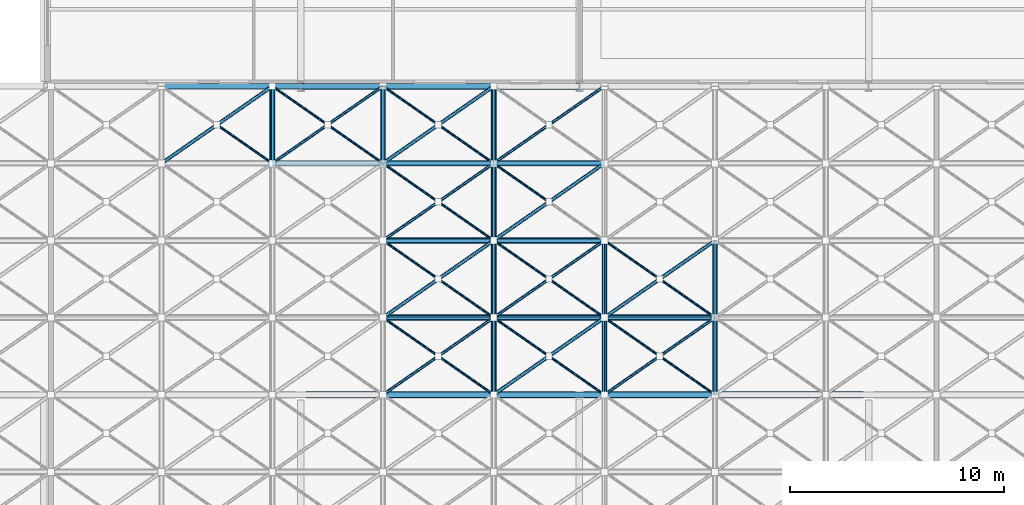
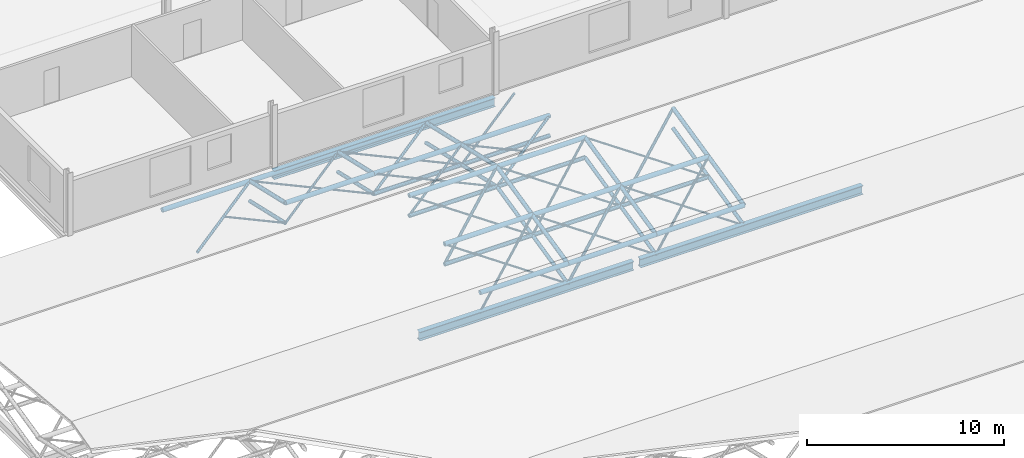
# One storey, part 47 of 110: 73 members, 3 beams.
"""IFC4 building model written with IfcOpenShell, lengths in metres."""

from ifc_helpers import new_model, si_unit, direction, frame, origin, origin_2d, place, context, subcontext, project, spatial, hollow_circle, i_section, extrude, material, material_profile, profile_set, type_object, element, save


model = new_model("IFC4")

# Units and contexts
model_context = context("Model", 3, precision=1e-05, world=origin(), true_north=direction((0.0, 1.0)))
body_context = subcontext(model_context, "Body", "Model", "MODEL_VIEW")
ifc_project = project(units=[si_unit("LENGTHUNIT", "METRE"), si_unit("AREAUNIT", "SQUARE_METRE"), si_unit("VOLUMEUNIT", "CUBIC_METRE"), si_unit("PLANEANGLEUNIT", "RADIAN"), si_unit("MASSUNIT", "GRAM", prefix="KILO")], contexts=[model_context])

# Site, building, storey
site_placement = place(None, origin())
site = spatial("IfcSite", under=ifc_project, at=site_placement, CompositionType="ELEMENT")
building_placement = place(site_placement, origin())
building = spatial("IfcBuilding", under=site, at=building_placement, Name="Tamarisk Ironworks Central Station", CompositionType="ELEMENT")
storey_placement = place(building_placement, frame((0.0, 0.0, 17.39990234375)))
storey = spatial("IfcBuildingStorey", under=building, at=storey_placement, Name="L03", CompositionType="ELEMENT", Elevation=17.39990234375)

# Beams
ifc_material_1 = material(Name="Structural steel S355J2", Category="steel")
ifc_material_profile_1 = material_profile(ifc_material_1, i_section(OverallWidth=0.300048828125, OverallDepth=0.5400390625, WebThickness=0.012451171875, FlangeThickness=0.02392578125, at=origin_2d()), Name="HEA 550")
ifc_profile_set_1 = profile_set([ifc_material_profile_1], Name="Structural steel S355J2")
beam_type = type_object("IfcBeamType", Name="BM-G04", PredefinedType="BEAM", material=ifc_profile_set_1)
beam_1_placement = place(storey_placement, frame((140.241943359375, 64.800048828125, -1.869873046875), z_axis=(1.0, 0.0, 0.0), x_axis=(0.0, 1.0, 0.0)))
element("IfcBeam", 1, at=beam_1_placement, inside=storey, type_object=beam_type, Name="L03 primary girder X-0574", PredefinedType="BEAM", context=body_context, shape_type="SweptSolid", body=[
    extrude(i_section(OverallWidth=0.300048828125, OverallDepth=0.5400390625, WebThickness=0.012451171875, FlangeThickness=0.02392578125, at=origin_2d()), origin(), (0.0, 0.0, 1.0), 12.56689453125),
])
beam_2_placement = place(storey_placement, frame((153.191162109375, 64.800048828125, -1.869873046875), z_axis=(1.0, 0.0, 0.0), x_axis=(0.0, 1.0, 0.0)))
element("IfcBeam", 2, at=beam_2_placement, inside=storey, type_object=beam_type, Name="L03 primary girder X-0575", PredefinedType="BEAM", context=body_context, shape_type="SweptSolid", body=[
    extrude(i_section(OverallWidth=0.300048828125, OverallDepth=0.5400390625, WebThickness=0.012451171875, FlangeThickness=0.02392578125, at=origin_2d()), origin(), (0.0, 0.0, 1.0), 13.06689453125),
])
beam_3_placement = place(storey_placement, frame((140.00390625, 79.199951171875, -0.52001953125), z_axis=(1.0, 0.0, 0.0), x_axis=(0.0, 1.0, 0.0)))
element("IfcBeam", 3, at=beam_3_placement, inside=storey, type_object=beam_type, Name="L03 primary girder X-0629", PredefinedType="BEAM", context=body_context, shape_type="SweptSolid", body=[
    extrude(i_section(OverallWidth=0.300048828125, OverallDepth=0.5400390625, WebThickness=0.012451171875, FlangeThickness=0.02392578125, at=origin_2d()), origin(), (0.0, 0.0, 1.0), 12.9921875),
])

# Members
ifc_material_2 = material(Name="Structural steel S355J2H", Category="steel")
ifc_material_profile_2 = material_profile(ifc_material_2, hollow_circle(Radius=0.136474609375, WallThickness=0.012451171875, at=origin_2d()), Name="CHS 273x12.5")
ifc_profile_set_2 = profile_set([ifc_material_profile_2], Name="Structural steel S355J2H")
member_type_1 = type_object("IfcMemberType", Name="MB-SFC01", PredefinedType="CHORD", material=ifc_profile_set_2)
for number, where, z_axis, x_axis, name in (
    (4, (143.833251953125, 64.800048828125, -0.469970703125), (1.0, 0.0, 0.0), (0.0, 1.0, 0.0), "Train shed space-frame top chord 1672"),
    (5, (149.0, 64.800048828125, -0.469970703125), (1.0, 0.0, 0.0), (0.0, 1.0, 0.0), "Train shed space-frame top chord 1673"),
):
    element("IfcMember", number, at=place(storey_placement, frame(where, z_axis=z_axis, x_axis=x_axis)), inside=storey, type_object=member_type_1, Name=name, PredefinedType="CHORD", context=body_context, shape_type="SweptSolid", body=[
        extrude(hollow_circle(Radius=0.136474609375, WallThickness=0.012451171875, at=origin_2d()), origin(), (0.0, 0.0, 1.0), 5.166748046875),
    ])
member_1_placement = place(storey_placement, frame((154.166748046875, 64.800048828125, -0.469970703125), z_axis=(1.0, 0.0, 0.0), x_axis=(0.0, 1.0, 0.0)))
element("IfcMember", 6, at=member_1_placement, inside=storey, type_object=member_type_1, Name="Train shed space-frame top chord 1674", PredefinedType="CHORD", context=body_context, shape_type="SweptSolid", body=[
    extrude(hollow_circle(Radius=0.136474609375, WallThickness=0.012451171875, at=origin_2d()), origin(), (0.0, 0.0, 1.0), 5.16650390625),
])
for number, where, z_axis, x_axis, name in (
    (7, (143.833251953125, 68.39990234375, 0.35498046875), (1.0, 0.0, 0.0), (0.0, 1.0, 0.0), "Train shed space-frame top chord 1920"),
    (8, (149.0, 68.39990234375, 0.35498046875), (1.0, 0.0, 0.0), (0.0, 1.0, 0.0), "Train shed space-frame top chord 1921"),
):
    element("IfcMember", number, at=place(storey_placement, frame(where, z_axis=z_axis, x_axis=x_axis)), inside=storey, type_object=member_type_1, Name=name, PredefinedType="CHORD", context=body_context, shape_type="SweptSolid", body=[
        extrude(hollow_circle(Radius=0.136474609375, WallThickness=0.012451171875, at=origin_2d()), origin(), (0.0, 0.0, 1.0), 5.166748046875),
    ])
member_2_placement = place(storey_placement, frame((154.166748046875, 68.39990234375, 0.35498046875), z_axis=(1.0, 0.0, 0.0), x_axis=(0.0, 1.0, 0.0)))
element("IfcMember", 9, at=member_2_placement, inside=storey, type_object=member_type_1, Name="Train shed space-frame top chord 1922", PredefinedType="CHORD", context=body_context, shape_type="SweptSolid", body=[
    extrude(hollow_circle(Radius=0.136474609375, WallThickness=0.012451171875, at=origin_2d()), origin(), (0.0, 0.0, 1.0), 5.16650390625),
])
for number, where, z_axis, x_axis, name in (
    (10, (143.833251953125, 72.0, 1.18017578125), (1.0, 0.0, 0.0), (0.0, 1.0, 0.0), "Train shed space-frame top chord 1932"),
    (11, (149.0, 72.0, 1.18017578125), (1.0, 0.0, 0.0), (0.0, 1.0, 0.0), "Train shed space-frame top chord 1933"),
):
    element("IfcMember", number, at=place(storey_placement, frame(where, z_axis=z_axis, x_axis=x_axis)), inside=storey, type_object=member_type_1, Name=name, PredefinedType="CHORD", context=body_context, shape_type="SweptSolid", body=[
        extrude(hollow_circle(Radius=0.136474609375, WallThickness=0.012451171875, at=origin_2d()), origin(), (0.0, 0.0, 1.0), 5.166748046875),
    ])
member_3_placement = place(storey_placement, frame((138.666748046875, 75.60009765625, 0.35498046875), z_axis=(1.0, 0.0, 0.0), x_axis=(0.0, 1.0, 0.0)))
element("IfcMember", 12, at=member_3_placement, inside=storey, type_object=member_type_1, Name="Train shed space-frame top chord 1943", PredefinedType="CHORD", context=body_context, shape_type="SweptSolid", body=[
    extrude(hollow_circle(Radius=0.136474609375, WallThickness=0.012451171875, at=origin_2d()), origin(), (0.0, 0.0, 1.0), 5.16650390625),
])
for number, where, z_axis, x_axis, name in (
    (13, (143.833251953125, 75.60009765625, 0.35498046875), (1.0, 0.0, 0.0), (0.0, 1.0, 0.0), "Train shed space-frame top chord 1944"),
    (14, (149.0, 75.60009765625, 0.35498046875), (1.0, 0.0, 0.0), (0.0, 1.0, 0.0), "Train shed space-frame top chord 1945"),
    (15, (133.5, 79.199951171875, -0.469970703125), (1.0, 0.0, 0.0), (0.0, 1.0, 0.0), "Train shed space-frame top chord 1954"),
):
    element("IfcMember", number, at=place(storey_placement, frame(where, z_axis=z_axis, x_axis=x_axis)), inside=storey, type_object=member_type_1, Name=name, PredefinedType="CHORD", context=body_context, shape_type="SweptSolid", body=[
        extrude(hollow_circle(Radius=0.136474609375, WallThickness=0.012451171875, at=origin_2d()), origin(), (0.0, 0.0, 1.0), 5.166748046875),
    ])
member_4_placement = place(storey_placement, frame((138.666748046875, 79.199951171875, -0.469970703125), z_axis=(1.0, 0.0, 0.0), x_axis=(0.0, 1.0, 0.0)))
element("IfcMember", 16, at=member_4_placement, inside=storey, type_object=member_type_1, Name="Train shed space-frame top chord 1955", PredefinedType="CHORD", context=body_context, shape_type="SweptSolid", body=[
    extrude(hollow_circle(Radius=0.136474609375, WallThickness=0.012451171875, at=origin_2d()), origin(), (0.0, 0.0, 1.0), 5.16650390625),
])
member_5_placement = place(storey_placement, frame((143.833251953125, 79.199951171875, -0.469970703125), z_axis=(1.0, 0.0, 0.0), x_axis=(0.0, 1.0, 0.0)))
element("IfcMember", 17, at=member_5_placement, inside=storey, type_object=member_type_1, Name="Train shed space-frame top chord 1956", PredefinedType="CHORD", context=body_context, shape_type="SweptSolid", body=[
    extrude(hollow_circle(Radius=0.136474609375, WallThickness=0.012451171875, at=origin_2d()), origin(), (0.0, 0.0, 1.0), 5.166748046875),
])
ifc_material_profile_3 = material_profile(ifc_material_2, hollow_circle(Radius=0.122314453125, WallThickness=0.012451171875, at=origin_2d()), Name="CHS 244.5x12.5")
ifc_profile_set_3 = profile_set([ifc_material_profile_3], Name="Structural steel S355J2H")
member_type_2 = type_object("IfcMemberType", Name="MB-SFC02", PredefinedType="CHORD", material=ifc_profile_set_3)
for number, where, z_axis, x_axis, name in (
    (18, (143.833251953125, 68.39990234375, -0.89501953125), (1.0, 0.0, 0.0), (0.0, 1.0, 0.0), "Train shed space-frame bottom chord 1832"),
    (19, (149.0, 68.39990234375, -0.89501953125), (1.0, 0.0, 0.0), (0.0, 1.0, 0.0), "Train shed space-frame bottom chord 1833"),
):
    element("IfcMember", number, at=place(storey_placement, frame(where, z_axis=z_axis, x_axis=x_axis)), inside=storey, type_object=member_type_2, Name=name, PredefinedType="CHORD", context=body_context, shape_type="SweptSolid", body=[
        extrude(hollow_circle(Radius=0.122314453125, WallThickness=0.012451171875, at=origin_2d()), origin(), (0.0, 0.0, 1.0), 5.166748046875),
    ])
member_6_placement = place(storey_placement, frame((154.166748046875, 68.39990234375, -0.89501953125), z_axis=(1.0, 0.0, 0.0), x_axis=(0.0, 1.0, 0.0)))
element("IfcMember", 20, at=member_6_placement, inside=storey, type_object=member_type_2, Name="Train shed space-frame bottom chord 1834", PredefinedType="CHORD", context=body_context, shape_type="SweptSolid", body=[
    extrude(hollow_circle(Radius=0.122314453125, WallThickness=0.012451171875, at=origin_2d()), origin(), (0.0, 0.0, 1.0), 5.16650390625),
])
for number, where, z_axis, x_axis, name in (
    (21, (143.833251953125, 72.0, -0.06982421875), (1.0, 0.0, 0.0), (0.0, 1.0, 0.0), "Train shed space-frame bottom chord 1844"),
    (22, (149.0, 72.0, -0.06982421875), (1.0, 0.0, 0.0), (0.0, 1.0, 0.0), "Train shed space-frame bottom chord 1845"),
    (23, (143.833251953125, 75.60009765625, -0.89501953125), (1.0, 0.0, 0.0), (0.0, 1.0, 0.0), "Train shed space-frame bottom chord 1856"),
    (24, (149.0, 75.60009765625, -0.89501953125), (1.0, 0.0, 0.0), (0.0, 1.0, 0.0), "Train shed space-frame bottom chord 1857"),
):
    element("IfcMember", number, at=place(storey_placement, frame(where, z_axis=z_axis, x_axis=x_axis)), inside=storey, type_object=member_type_2, Name=name, PredefinedType="CHORD", context=body_context, shape_type="SweptSolid", body=[
        extrude(hollow_circle(Radius=0.122314453125, WallThickness=0.012451171875, at=origin_2d()), origin(), (0.0, 0.0, 1.0), 5.166748046875),
    ])
for number, where, z_axis, x_axis, name in (
    (25, (138.666748046875, 75.60009765625, 0.35498046875), (0.0, 0.974733218107, -0.223372230857), (-1.0, 0.0, 0.0), "Train shed space-frame top transverse chord 1982"),
    (26, (143.833251953125, 75.60009765625, 0.35498046875), (0.0, 0.974733218107, -0.223372230857), (-1.0, 0.0, 0.0), "Train shed space-frame top transverse chord 1986"),
    (27, (149.0, 64.800048828125, -0.469970703125), (0.0, 0.974733218107, 0.223372230857), (-1.0, 0.0, 0.0), "Train shed space-frame top transverse chord 1987"),
):
    element("IfcMember", number, at=place(storey_placement, frame(where, z_axis=z_axis, x_axis=x_axis)), inside=storey, type_object=member_type_2, Name=name, PredefinedType="CHORD", context=body_context, shape_type="SweptSolid", body=[
        extrude(hollow_circle(Radius=0.122314453125, WallThickness=0.012451171875, at=origin_2d()), origin(), (0.0, 0.0, 1.0), 3.693115234375),
    ])
for number, where, z_axis, x_axis, name in (
    (28, (149.0, 68.39990234375, 0.35498046875), (0.0, 0.974722123001, 0.223420641241), (-1.0, 0.0, 0.0), "Train shed space-frame top transverse chord 1988"),
    (29, (149.0, 72.0, 1.18017578125), (0.0, 0.974722123001, -0.223420641241), (-1.0, 0.0, 0.0), "Train shed space-frame top transverse chord 1989"),
):
    element("IfcMember", number, at=place(storey_placement, frame(where, z_axis=z_axis, x_axis=x_axis)), inside=storey, type_object=member_type_2, Name=name, PredefinedType="CHORD", context=body_context, shape_type="SweptSolid", body=[
        extrude(hollow_circle(Radius=0.122314453125, WallThickness=0.012451171875, at=origin_2d()), origin(), (0.0, 0.0, 1.0), 3.693359375),
    ])
for number, where, z_axis, x_axis, name in (
    (30, (149.0, 75.60009765625, 0.35498046875), (0.0, 0.974733218107, -0.223372230857), (-1.0, 0.0, 0.0), "Train shed space-frame top transverse chord 1990"),
    (31, (154.166748046875, 64.800048828125, -0.469970703125), (0.0, 0.974733218107, 0.223372230857), (-1.0, 0.0, 0.0), "Train shed space-frame top transverse chord 1991"),
):
    element("IfcMember", number, at=place(storey_placement, frame(where, z_axis=z_axis, x_axis=x_axis)), inside=storey, type_object=member_type_2, Name=name, PredefinedType="CHORD", context=body_context, shape_type="SweptSolid", body=[
        extrude(hollow_circle(Radius=0.122314453125, WallThickness=0.012451171875, at=origin_2d()), origin(), (0.0, 0.0, 1.0), 3.693115234375),
    ])
member_7_placement = place(storey_placement, frame((154.166748046875, 68.39990234375, 0.35498046875), z_axis=(0.0, 0.974722123001, 0.223420641241), x_axis=(-1.0, 0.0, 0.0)))
element("IfcMember", 32, at=member_7_placement, inside=storey, type_object=member_type_2, Name="Train shed space-frame top transverse chord 1992", PredefinedType="CHORD", context=body_context, shape_type="SweptSolid", body=[
    extrude(hollow_circle(Radius=0.122314453125, WallThickness=0.012451171875, at=origin_2d()), origin(), (0.0, 0.0, 1.0), 3.693359375),
])
member_8_placement = place(storey_placement, frame((159.333251953125, 64.800048828125, -0.469970703125), z_axis=(0.0, 0.974733218107, 0.223372230857), x_axis=(-1.0, 0.0, 0.0)))
element("IfcMember", 33, at=member_8_placement, inside=storey, type_object=member_type_2, Name="Train shed space-frame top transverse chord 1995", PredefinedType="CHORD", context=body_context, shape_type="SweptSolid", body=[
    extrude(hollow_circle(Radius=0.122314453125, WallThickness=0.012451171875, at=origin_2d()), origin(), (0.0, 0.0, 1.0), 3.693115234375),
])
member_9_placement = place(storey_placement, frame((159.333251953125, 68.39990234375, 0.35498046875), z_axis=(0.0, 0.974722123001, 0.223420641241), x_axis=(-1.0, 0.0, 0.0)))
element("IfcMember", 34, at=member_9_placement, inside=storey, type_object=member_type_2, Name="Train shed space-frame top transverse chord 1996", PredefinedType="CHORD", context=body_context, shape_type="SweptSolid", body=[
    extrude(hollow_circle(Radius=0.122314453125, WallThickness=0.012451171875, at=origin_2d()), origin(), (0.0, 0.0, 1.0), 3.693359375),
])
ifc_material_profile_4 = material_profile(ifc_material_2, hollow_circle(Radius=0.109619140625, WallThickness=0.010009765625, at=origin_2d()), Name="CHS 219.1x10")
ifc_profile_set_4 = profile_set([ifc_material_profile_4], Name="Structural steel S355J2H")
member_type_3 = type_object("IfcMemberType", Name="MB-SFC03", PredefinedType="CHORD", material=ifc_profile_set_4)
for number, where, z_axis, x_axis, name in (
    (35, (138.666748046875, 75.60009765625, -0.89501953125), (0.0, 0.974733218107, -0.223372230857), (-1.0, 0.0, 0.0), "Train shed space-frame transverse chord 1882"),
    (36, (143.833251953125, 75.60009765625, -0.89501953125), (0.0, 0.974733218107, -0.223372230857), (-1.0, 0.0, 0.0), "Train shed space-frame transverse chord 1886"),
    (37, (149.0, 64.800048828125, -1.719970703125), (0.0, 0.974733218107, 0.223372230857), (-1.0, 0.0, 0.0), "Train shed space-frame transverse chord 1887"),
):
    element("IfcMember", number, at=place(storey_placement, frame(where, z_axis=z_axis, x_axis=x_axis)), inside=storey, type_object=member_type_3, Name=name, PredefinedType="CHORD", context=body_context, shape_type="SweptSolid", body=[
        extrude(hollow_circle(Radius=0.109619140625, WallThickness=0.010009765625, at=origin_2d()), origin(), (0.0, 0.0, 1.0), 3.693115234375),
    ])
for number, where, z_axis, x_axis, name in (
    (38, (149.0, 68.39990234375, -0.89501953125), (0.0, 0.974722123001, 0.223420641241), (-1.0, 0.0, 0.0), "Train shed space-frame transverse chord 1888"),
    (39, (149.0, 72.0, -0.06982421875), (0.0, 0.974722123001, -0.223420641241), (-1.0, 0.0, 0.0), "Train shed space-frame transverse chord 1889"),
):
    element("IfcMember", number, at=place(storey_placement, frame(where, z_axis=z_axis, x_axis=x_axis)), inside=storey, type_object=member_type_3, Name=name, PredefinedType="CHORD", context=body_context, shape_type="SweptSolid", body=[
        extrude(hollow_circle(Radius=0.109619140625, WallThickness=0.010009765625, at=origin_2d()), origin(), (0.0, 0.0, 1.0), 3.693359375),
    ])
for number, where, z_axis, x_axis, name in (
    (40, (149.0, 75.60009765625, -0.89501953125), (0.0, 0.974733218107, -0.223372230857), (-1.0, 0.0, 0.0), "Train shed space-frame transverse chord 1890"),
    (41, (154.166748046875, 64.800048828125, -1.719970703125), (0.0, 0.974733218107, 0.223372230857), (-1.0, 0.0, 0.0), "Train shed space-frame transverse chord 1891"),
):
    element("IfcMember", number, at=place(storey_placement, frame(where, z_axis=z_axis, x_axis=x_axis)), inside=storey, type_object=member_type_3, Name=name, PredefinedType="CHORD", context=body_context, shape_type="SweptSolid", body=[
        extrude(hollow_circle(Radius=0.109619140625, WallThickness=0.010009765625, at=origin_2d()), origin(), (0.0, 0.0, 1.0), 3.693115234375),
    ])
member_10_placement = place(storey_placement, frame((154.166748046875, 68.39990234375, -0.89501953125), z_axis=(0.0, 0.974722123001, 0.223420641241), x_axis=(-1.0, 0.0, 0.0)))
element("IfcMember", 42, at=member_10_placement, inside=storey, type_object=member_type_3, Name="Train shed space-frame transverse chord 1892", PredefinedType="CHORD", context=body_context, shape_type="SweptSolid", body=[
    extrude(hollow_circle(Radius=0.109619140625, WallThickness=0.010009765625, at=origin_2d()), origin(), (0.0, 0.0, 1.0), 3.693359375),
])
member_11_placement = place(storey_placement, frame((159.333251953125, 64.800048828125, -1.719970703125), z_axis=(0.0, 0.974733218107, 0.223372230857), x_axis=(-1.0, 0.0, 0.0)))
element("IfcMember", 43, at=member_11_placement, inside=storey, type_object=member_type_3, Name="Train shed space-frame transverse chord 1895", PredefinedType="CHORD", context=body_context, shape_type="SweptSolid", body=[
    extrude(hollow_circle(Radius=0.109619140625, WallThickness=0.010009765625, at=origin_2d()), origin(), (0.0, 0.0, 1.0), 3.693115234375),
])
member_12_placement = place(storey_placement, frame((159.333251953125, 68.39990234375, -0.89501953125), z_axis=(0.0, 0.974722123001, 0.223420641241), x_axis=(-1.0, 0.0, 0.0)))
element("IfcMember", 44, at=member_12_placement, inside=storey, type_object=member_type_3, Name="Train shed space-frame transverse chord 1896", PredefinedType="CHORD", context=body_context, shape_type="SweptSolid", body=[
    extrude(hollow_circle(Radius=0.109619140625, WallThickness=0.010009765625, at=origin_2d()), origin(), (0.0, 0.0, 1.0), 3.693359375),
])
ifc_material_profile_5 = material_profile(ifc_material_2, hollow_circle(Radius=0.084228515625, WallThickness=0.010009765625, at=origin_2d()), Name="CHS 168.3x10")
ifc_profile_set_5 = profile_set([ifc_material_profile_5], Name="Structural steel S355J2H")
member_type_4 = type_object("IfcMemberType", Name="MB-SFD01", PredefinedType="BRACE", material=ifc_profile_set_5)
member_13_placement = place(storey_placement, frame((133.5, 75.60009765625, -0.89501953125), z_axis=(0.818625810636, 0.570365145671, 0.067345250499), x_axis=(-0.57166297408, 0.820488539875, 0.0)))
element("IfcMember", 45, at=member_13_placement, inside=storey, type_object=member_type_4, Name="Train shed space-frame diagonal 2045", PredefinedType="BRACE", context=body_context, shape_type="SweptSolid", body=[
    extrude(hollow_circle(Radius=0.084228515625, WallThickness=0.010009765625, at=origin_2d()), origin(), (0.0, 0.0, 1.0), 6.3115234375),
])
member_14_placement = place(storey_placement, frame((143.833251953125, 68.39990234375, -0.89501953125), z_axis=(0.779249385031, 0.542967038306, 0.312981135603), x_axis=(-0.571689073201, 0.82047035509, 0.0)))
element("IfcMember", 46, at=member_14_placement, inside=storey, type_object=member_type_4, Name="Train shed space-frame diagonal 2057", PredefinedType="BRACE", context=body_context, shape_type="SweptSolid", body=[
    extrude(hollow_circle(Radius=0.084228515625, WallThickness=0.010009765625, at=origin_2d()), origin(), (0.0, 0.0, 1.0), 6.63037109375),
])
member_15_placement = place(storey_placement, frame((143.833251953125, 75.60009765625, -0.89501953125), z_axis=(0.818625810636, 0.570365145671, 0.067345250499), x_axis=(-0.57166297408, 0.820488539875, 0.0)))
element("IfcMember", 47, at=member_15_placement, inside=storey, type_object=member_type_4, Name="Train shed space-frame diagonal 2061", PredefinedType="BRACE", context=body_context, shape_type="SweptSolid", body=[
    extrude(hollow_circle(Radius=0.084228515625, WallThickness=0.010009765625, at=origin_2d()), origin(), (0.0, 0.0, 1.0), 6.3115234375),
])
member_16_placement = place(storey_placement, frame((149.0, 64.800048828125, -1.719970703125), z_axis=(0.779273944842, 0.542947328672, 0.312954177442), x_axis=(-0.57166297408, 0.820488539875, 0.0)))
element("IfcMember", 48, at=member_16_placement, inside=storey, type_object=member_type_4, Name="Train shed space-frame diagonal 2063", PredefinedType="BRACE", context=body_context, shape_type="SweptSolid", body=[
    extrude(hollow_circle(Radius=0.084228515625, WallThickness=0.010009765625, at=origin_2d()), origin(), (0.0, 0.0, 1.0), 6.630126953125),
])
member_17_placement = place(storey_placement, frame((149.0, 72.0, -0.06982421875), z_axis=(0.818609881232, 0.570392728283, 0.067305258864), x_axis=(-0.571689073201, 0.82047035509, 0.0)))
element("IfcMember", 49, at=member_17_placement, inside=storey, type_object=member_type_4, Name="Train shed space-frame diagonal 2067", PredefinedType="BRACE", context=body_context, shape_type="SweptSolid", body=[
    extrude(hollow_circle(Radius=0.084228515625, WallThickness=0.010009765625, at=origin_2d()), origin(), (0.0, 0.0, 1.0), 6.3115234375),
])
member_18_placement = place(storey_placement, frame((154.166748046875, 68.39990234375, -0.89501953125), z_axis=(0.779234922088, 0.542982617952, 0.31299011614), x_axis=(-0.571707258436, 0.820457683645, 0.0)))
element("IfcMember", 50, at=member_18_placement, inside=storey, type_object=member_type_4, Name="Train shed space-frame diagonal 2073", PredefinedType="BRACE", context=body_context, shape_type="SweptSolid", body=[
    extrude(hollow_circle(Radius=0.084228515625, WallThickness=0.010009765625, at=origin_2d()), origin(), (0.0, 0.0, 1.0), 6.630126953125),
])
ifc_material_profile_6 = material_profile(ifc_material_2, hollow_circle(Radius=0.06982421875, WallThickness=0.008056640625, at=origin_2d()), Name="CHS 139.7x8")
ifc_profile_set_6 = profile_set([ifc_material_profile_6], Name="Structural steel S355J2H")
member_type_5 = type_object("IfcMemberType", Name="MB-SFD02", PredefinedType="BRACE", material=ifc_profile_set_6)
member_19_placement = place(storey_placement, frame((138.666748046875, 75.60009765625, -0.89501953125), z_axis=(0.818613050724, 0.570383207302, 0.067347383107), x_axis=(-0.571681159291, 0.820475869305, 0.0)))
element("IfcMember", 51, at=member_19_placement, inside=storey, type_object=member_type_5, Name="Train shed space-frame diagonal 2053", PredefinedType="BRACE", context=body_context, shape_type="SweptSolid", body=[
    extrude(hollow_circle(Radius=0.06982421875, WallThickness=0.008056640625, at=origin_2d()), origin(), (0.0, 0.0, 1.0), 6.311279296875),
])
member_20_placement = place(storey_placement, frame((143.833251953125, 64.800048828125, -1.719970703125), z_axis=(0.779273944842, 0.542947328672, 0.312954177442), x_axis=(-0.57166297408, 0.820488539875, 0.0)))
element("IfcMember", 52, at=member_20_placement, inside=storey, type_object=member_type_5, Name="Train shed space-frame diagonal 2055", PredefinedType="BRACE", context=body_context, shape_type="SweptSolid", body=[
    extrude(hollow_circle(Radius=0.06982421875, WallThickness=0.008056640625, at=origin_2d()), origin(), (0.0, 0.0, 1.0), 6.630126953125),
])
member_21_placement = place(storey_placement, frame((143.833251953125, 72.0, -0.06982421875), z_axis=(0.818609881232, 0.570392728283, 0.067305258864), x_axis=(-0.571689073201, 0.82047035509, 0.0)))
element("IfcMember", 53, at=member_21_placement, inside=storey, type_object=member_type_5, Name="Train shed space-frame diagonal 2059", PredefinedType="BRACE", context=body_context, shape_type="SweptSolid", body=[
    extrude(hollow_circle(Radius=0.06982421875, WallThickness=0.008056640625, at=origin_2d()), origin(), (0.0, 0.0, 1.0), 6.3115234375),
])
member_22_placement = place(storey_placement, frame((149.0, 68.39990234375, -0.89501953125), z_axis=(0.779249385031, 0.542967038306, 0.312981135603), x_axis=(-0.571689073201, 0.82047035509, 0.0)))
element("IfcMember", 54, at=member_22_placement, inside=storey, type_object=member_type_5, Name="Train shed space-frame diagonal 2065", PredefinedType="BRACE", context=body_context, shape_type="SweptSolid", body=[
    extrude(hollow_circle(Radius=0.06982421875, WallThickness=0.008056640625, at=origin_2d()), origin(), (0.0, 0.0, 1.0), 6.63037109375),
])
member_23_placement = place(storey_placement, frame((149.0, 75.60009765625, -0.89501953125), z_axis=(0.818625810636, 0.570365145671, 0.067345250499), x_axis=(-0.57166297408, 0.820488539875, 0.0)))
element("IfcMember", 55, at=member_23_placement, inside=storey, type_object=member_type_5, Name="Train shed space-frame diagonal 2069", PredefinedType="BRACE", context=body_context, shape_type="SweptSolid", body=[
    extrude(hollow_circle(Radius=0.06982421875, WallThickness=0.008056640625, at=origin_2d()), origin(), (0.0, 0.0, 1.0), 6.3115234375),
])
member_24_placement = place(storey_placement, frame((154.166748046875, 64.800048828125, -1.719970703125), z_axis=(0.779259482852, 0.542962908735, 0.312963157772), x_axis=(-0.571681159291, 0.820475869305, 0.0)))
element("IfcMember", 56, at=member_24_placement, inside=storey, type_object=member_type_5, Name="Train shed space-frame diagonal 2071", PredefinedType="BRACE", context=body_context, shape_type="SweptSolid", body=[
    extrude(hollow_circle(Radius=0.06982421875, WallThickness=0.008056640625, at=origin_2d()), origin(), (0.0, 0.0, 1.0), 6.630126953125),
])
ifc_material_profile_7 = material_profile(ifc_material_2, hollow_circle(Radius=0.05712890625, WallThickness=0.00634765625, at=origin_2d()), Name="CHS 114.3x6.3")
ifc_profile_set_7 = profile_set([ifc_material_profile_7], Name="Structural steel S355J2H")
member_type_6 = type_object("IfcMemberType", Name="MB-SFD03", PredefinedType="BRACE", material=ifc_profile_set_7)
for number, where, z_axis, x_axis, name in (
    (57, (138.666748046875, 75.60009765625, -0.89501953125), (-0.818621116616, 0.570365621695, 0.067398256788), (-0.571665501983, -0.820486778591, 0.0), "Train shed space-frame split counter-diagonal lower 2046"),
    (58, (143.833251953125, 75.60009765625, -0.89501953125), (-0.818621116616, 0.570365621695, 0.067398256788), (-0.571665501983, -0.820486778591, 0.0), "Train shed space-frame split counter-diagonal lower 2054"),
    (59, (141.205078125, 77.431396484375, -0.6787109375), (-0.81862545828, 0.570368646704, 0.067319877544), (-0.571665501983, -0.820486778591, 0.0), "Train shed space-frame split counter-diagonal upper 2054"),
):
    element("IfcMember", number, at=place(storey_placement, frame(where, z_axis=z_axis, x_axis=x_axis)), inside=storey, type_object=member_type_6, Name=name, PredefinedType="BRACE", context=body_context, shape_type="SweptSolid", body=[
        extrude(hollow_circle(Radius=0.05712890625, WallThickness=0.00634765625, at=origin_2d()), origin(), (0.0, 0.0, 1.0), 3.100830078125),
    ])
for number, where, z_axis, x_axis, name in (
    (60, (149.0, 64.800048828125, -1.719970703125), (-0.779251958926, 0.542967486998, 0.312973948712), (-0.571688120068, -0.820471019216, 0.0), "Train shed space-frame split counter-diagonal lower 2056"),
    (61, (146.373779296875, 66.6298828125, -0.665283203125), (-0.779281371438, 0.542935800781, 0.31295568434), (-0.571651135352, -0.820496788203, 0.0), "Train shed space-frame split counter-diagonal upper 2056"),
    (62, (149.0, 68.39990234375, -0.89501953125), (-0.779202006797, 0.5430075686, 0.313028773514), (-0.571741198525, -0.820434032637, 0.0), "Train shed space-frame split counter-diagonal lower 2058"),
    (63, (146.373779296875, 70.22998046875, 0.159912109375), (-0.779281371438, 0.542935800781, 0.31295568434), (-0.571651135352, -0.820496788203, 0.0), "Train shed space-frame split counter-diagonal upper 2058"),
):
    element("IfcMember", number, at=place(storey_placement, frame(where, z_axis=z_axis, x_axis=x_axis)), inside=storey, type_object=member_type_6, Name=name, PredefinedType="BRACE", context=body_context, shape_type="SweptSolid", body=[
        extrude(hollow_circle(Radius=0.05712890625, WallThickness=0.00634765625, at=origin_2d()), origin(), (0.0, 0.0, 1.0), 3.260009765625),
    ])
for number, where, z_axis, x_axis, name in (
    (64, (149.0, 72.0, -0.06982421875), (-0.81862545828, 0.570368646704, 0.067319877544), (-0.571665501983, -0.820486778591, 0.0), "Train shed space-frame split counter-diagonal lower 2060"),
    (65, (146.37158203125, 73.831298828125, 0.146240234375), (-0.818588694614, 0.570421765171, 0.067316854275), (-0.571718624339, -0.820449763596, 0.0), "Train shed space-frame split counter-diagonal upper 2060"),
    (66, (149.0, 75.60009765625, -0.89501953125), (-0.818621116616, 0.570365621695, 0.067398256788), (-0.571665501983, -0.820486778591, 0.0), "Train shed space-frame split counter-diagonal lower 2062"),
    (67, (146.37158203125, 77.431396484375, -0.6787109375), (-0.81862545828, 0.570368646704, 0.067319877544), (-0.571665501983, -0.820486778591, 0.0), "Train shed space-frame split counter-diagonal upper 2062"),
):
    element("IfcMember", number, at=place(storey_placement, frame(where, z_axis=z_axis, x_axis=x_axis)), inside=storey, type_object=member_type_6, Name=name, PredefinedType="BRACE", context=body_context, shape_type="SweptSolid", body=[
        extrude(hollow_circle(Radius=0.05712890625, WallThickness=0.00634765625, at=origin_2d()), origin(), (0.0, 0.0, 1.0), 3.100830078125),
    ])
for number, where, z_axis, x_axis, name in (
    (68, (154.166748046875, 64.800048828125, -1.719970703125), (-0.779281371438, 0.542935800781, 0.31295568434), (-0.571651135352, -0.820496788203, 0.0), "Train shed space-frame split counter-diagonal lower 2064"),
    (69, (151.540283203125, 66.6298828125, -0.665283203125), (-0.779251958926, 0.542967486998, 0.312973948712), (-0.571688120068, -0.820471019216, 0.0), "Train shed space-frame split counter-diagonal upper 2064"),
):
    element("IfcMember", number, at=place(storey_placement, frame(where, z_axis=z_axis, x_axis=x_axis)), inside=storey, type_object=member_type_6, Name=name, PredefinedType="BRACE", context=body_context, shape_type="SweptSolid", body=[
        extrude(hollow_circle(Radius=0.05712890625, WallThickness=0.00634765625, at=origin_2d()), origin(), (0.0, 0.0, 1.0), 3.260009765625),
    ])
member_25_placement = place(storey_placement, frame((154.166748046875, 68.39990234375, -0.89501953125), z_axis=(-0.779231423252, 0.542975884106, 0.313010508283), x_axis=(-0.571704213709, -0.820459805248, 0.0)))
element("IfcMember", 70, at=member_25_placement, inside=storey, type_object=member_type_6, Name="Train shed space-frame split counter-diagonal lower 2066", PredefinedType="BRACE", context=body_context, shape_type="SweptSolid", body=[
    extrude(hollow_circle(Radius=0.05712890625, WallThickness=0.00634765625, at=origin_2d()), origin(), (0.0, 0.0, 1.0), 3.26025390625),
])
member_26_placement = place(storey_placement, frame((151.540283203125, 70.22998046875, 0.159912109375), z_axis=(-0.779251958926, 0.542967486998, 0.312973948712), x_axis=(-0.571688120068, -0.820471019216, 0.0)))
element("IfcMember", 71, at=member_26_placement, inside=storey, type_object=member_type_6, Name="Train shed space-frame split counter-diagonal upper 2066", PredefinedType="BRACE", context=body_context, shape_type="SweptSolid", body=[
    extrude(hollow_circle(Radius=0.05712890625, WallThickness=0.00634765625, at=origin_2d()), origin(), (0.0, 0.0, 1.0), 3.260009765625),
])
member_27_placement = place(storey_placement, frame((151.538330078125, 73.831298828125, 0.146240234375), z_axis=(-0.818588694614, 0.570421765171, 0.067316854275), x_axis=(-0.571718624339, -0.820449763596, 0.0)))
element("IfcMember", 72, at=member_27_placement, inside=storey, type_object=member_type_6, Name="Train shed space-frame split counter-diagonal upper 2068", PredefinedType="BRACE", context=body_context, shape_type="SweptSolid", body=[
    extrude(hollow_circle(Radius=0.05712890625, WallThickness=0.00634765625, at=origin_2d()), origin(), (0.0, 0.0, 1.0), 3.100830078125),
])
for number, where, z_axis, x_axis, name in (
    (73, (159.333251953125, 64.800048828125, -1.719970703125), (-0.779251958926, 0.542967486998, 0.312973948712), (-0.571688120068, -0.820471019216, 0.0), "Train shed space-frame split counter-diagonal lower 2072"),
    (74, (156.70703125, 66.6298828125, -0.665283203125), (-0.779251958926, 0.542967486998, 0.312973948712), (-0.571688120068, -0.820471019216, 0.0), "Train shed space-frame split counter-diagonal upper 2072"),
    (75, (159.333251953125, 68.39990234375, -0.89501953125), (-0.779202006797, 0.5430075686, 0.313028773514), (-0.571741198525, -0.820434032637, 0.0), "Train shed space-frame split counter-diagonal lower 2074"),
    (76, (156.70703125, 70.22998046875, 0.159912109375), (-0.779251958926, 0.542967486998, 0.312973948712), (-0.571688120068, -0.820471019216, 0.0), "Train shed space-frame split counter-diagonal upper 2074"),
):
    element("IfcMember", number, at=place(storey_placement, frame(where, z_axis=z_axis, x_axis=x_axis)), inside=storey, type_object=member_type_6, Name=name, PredefinedType="BRACE", context=body_context, shape_type="SweptSolid", body=[
        extrude(hollow_circle(Radius=0.05712890625, WallThickness=0.00634765625, at=origin_2d()), origin(), (0.0, 0.0, 1.0), 3.260009765625),
    ])

save(model, "model.ifc")
